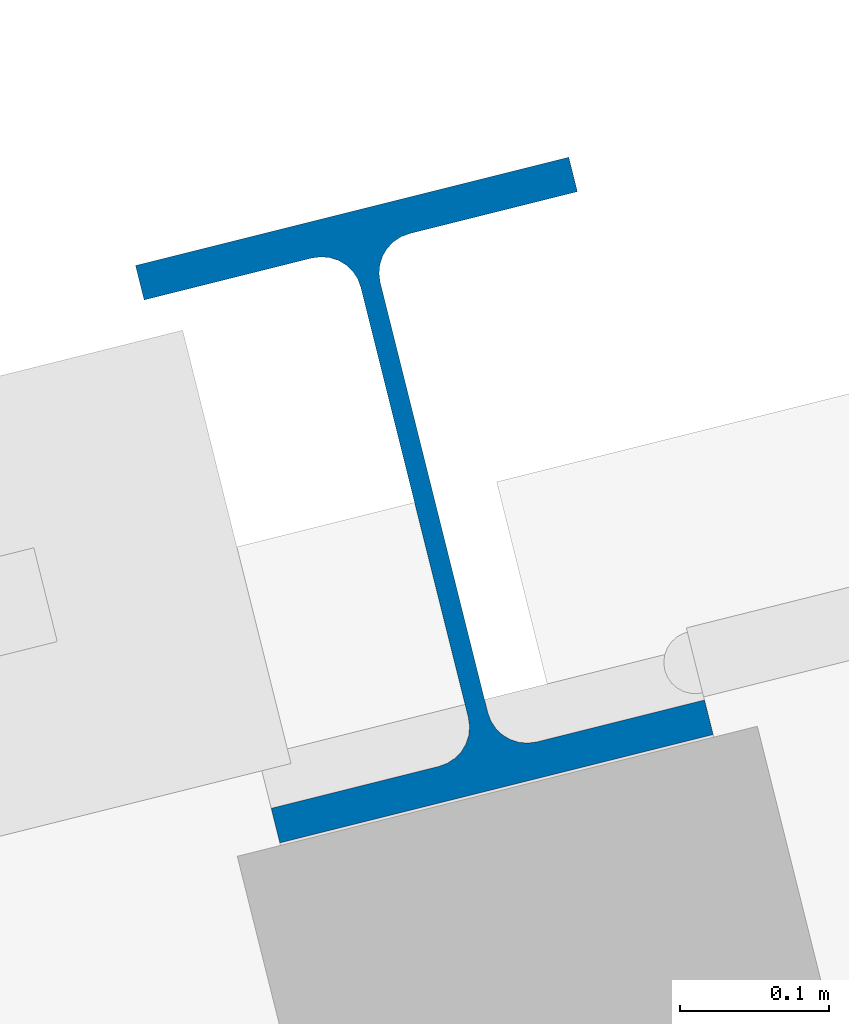
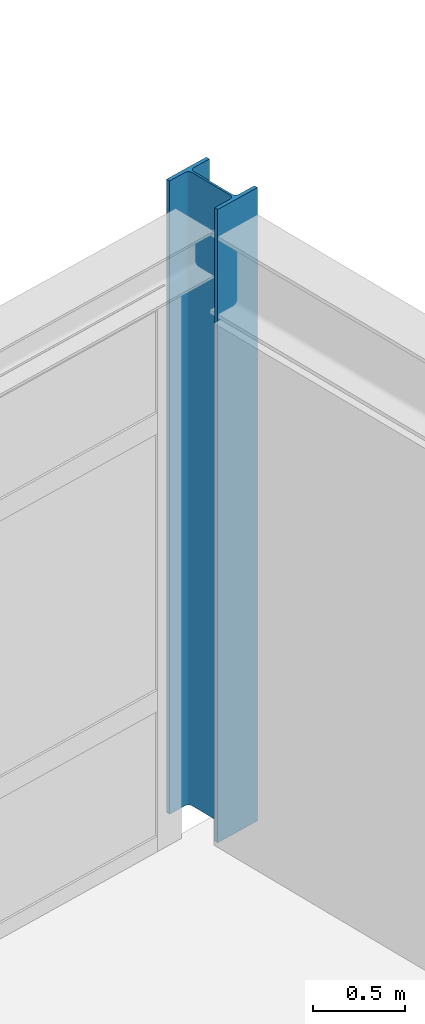
# One storey, part 5 of 64: 1 column.
"""IFC4 building model written with IfcOpenShell, lengths in metres."""

from ifc_helpers import new_model, si_unit, direction, frame, origin, origin_2d, place, context, subcontext, project, spatial, i_section, extrude, material, material_profile, profile_set, type_object, element, save


model = new_model("IFC4")

# Units and contexts
model_context = context("Model", 3, precision=1e-05, world=origin(), true_north=direction((0.0, 1.0)))
body_context = subcontext(model_context, "Body", "Model", "MODEL_VIEW")
ifc_project = project(units=[si_unit("LENGTHUNIT", "METRE"), si_unit("AREAUNIT", "SQUARE_METRE"), si_unit("VOLUMEUNIT", "CUBIC_METRE"), si_unit("PLANEANGLEUNIT", "RADIAN"), si_unit("MASSUNIT", "GRAM", prefix="KILO")], contexts=[model_context])

# Site, building, storey
site_placement = place(None, origin())
site = spatial("IfcSite", under=ifc_project, at=site_placement, CompositionType="ELEMENT")
building_placement = place(site_placement, origin())
building = spatial("IfcBuilding", under=site, at=building_placement, Name="Nordkorset Police Headquarters", CompositionType="ELEMENT")
storey_placement = place(building_placement, frame((0.0, 0.0, 17.85009765625)))
storey = spatial("IfcBuildingStorey", under=building, at=storey_placement, Name="L04", CompositionType="ELEMENT", Elevation=17.85009765625)

# Column
ifc_material = material(Name="Steel S355J2", Category="steel")
ifc_material_profile = material_profile(ifc_material, i_section(OverallWidth=0.300048828125, OverallDepth=0.39990234375, WebThickness=0.013427734375, FlangeThickness=0.02392578125, FilletRadius=0.027099609375, at=origin_2d()), Name="HEB 400")
ifc_profile_set = profile_set([ifc_material_profile], Name="Steel S355J2")
column_type = type_object("IfcColumnType", Name="Col_HEB_400", PredefinedType="COLUMN", material=ifc_profile_set)
column_placement = place(storey_placement, frame((58.9130859375, 65.67138671875, 0.0), z_axis=(0.0, 0.0, 1.0), x_axis=(0.970142500145, 0.242535625038, 0.0)))
element("IfcColumn", 1, at=column_placement, inside=storey, type_object=column_type, Name="Structural Column V4_U4_V1 L04", PredefinedType="COLUMN", context=body_context, shape_type="SweptSolid", body=[
    extrude(i_section(OverallWidth=0.300048828125, OverallDepth=0.39990234375, WebThickness=0.013427734375, FlangeThickness=0.02392578125, FilletRadius=0.027099609375, at=origin_2d()), origin(), (0.0, 0.0, 1.0), 4.199951171875),
])

save(model, "model.ifc")
